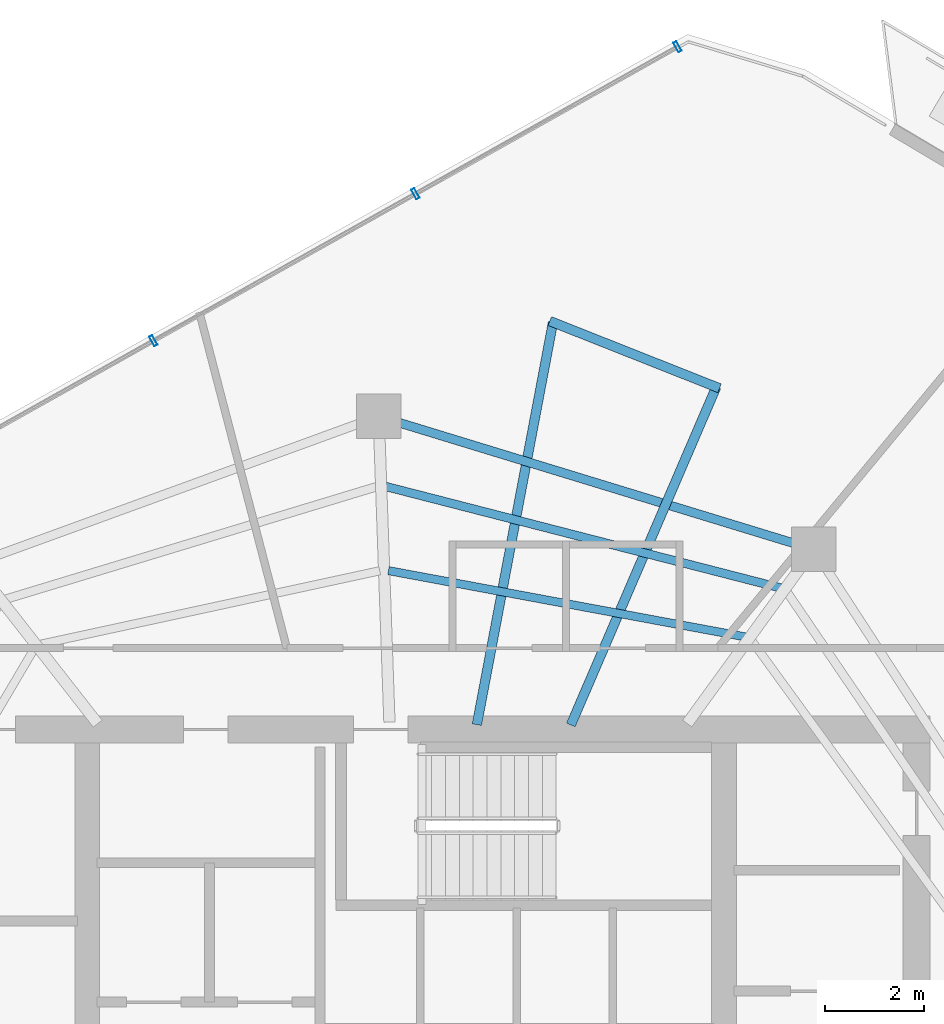
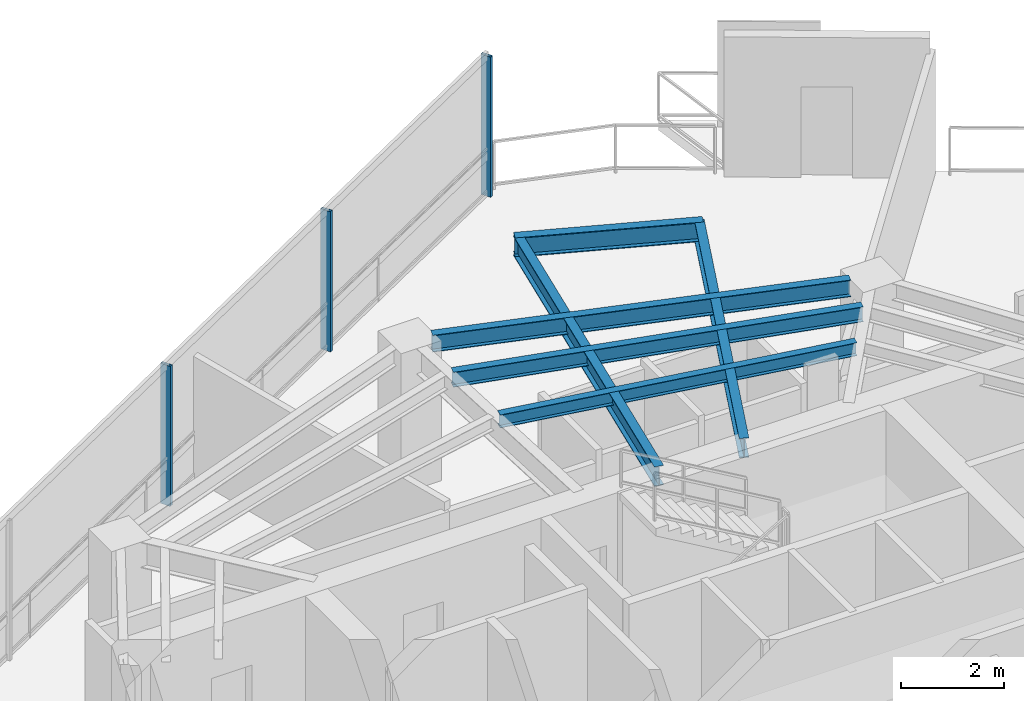
# One storey, part 11 of 18: 6 beams, 3 members, 1 element without a shape of its own.
"""IFC4 building model written with IfcOpenShell, lengths in metres."""

from ifc_helpers import new_model, si_unit, direction, frame, origin, origin_2d, place, context, subcontext, project, spatial, hollow_rectangle, i_section, extrude, material, layer, layer_set, material_profile, profile_set, type_object, element, aggregate, save


model = new_model("IFC4")

# Units and contexts
model_context = context("Model", 3, precision=1e-05, world=origin(), true_north=direction((0.0, 1.0)))
body_context = subcontext(model_context, "Body", "Model", "MODEL_VIEW")
ifc_project = project(units=[si_unit("LENGTHUNIT", "METRE"), si_unit("AREAUNIT", "SQUARE_METRE"), si_unit("VOLUMEUNIT", "CUBIC_METRE"), si_unit("PLANEANGLEUNIT", "RADIAN"), si_unit("MASSUNIT", "GRAM", prefix="KILO")], contexts=[model_context])

# Site, building, storey
site_placement = place(None, origin())
site = spatial("IfcSite", under=ifc_project, at=site_placement, CompositionType="ELEMENT")
building_placement = place(site_placement, origin())
building = spatial("IfcBuilding", under=site, at=building_placement, Name="Qarnah Convention Tower", CompositionType="ELEMENT")
storey_placement = place(building_placement, frame((0.0, 0.0, 177.0)))
storey = spatial("IfcBuildingStorey", under=building, at=storey_placement, Name="L47", CompositionType="ELEMENT", Elevation=177.0)

# Beams
ifc_material_1 = material(Name="Structural steel S355JR", Category="steel")
ifc_material_profile_1 = material_profile(ifc_material_1, i_section(OverallWidth=0.19189453125, OverallDepth=0.464111328125, WebThickness=0.010986328125, FlangeThickness=0.01806640625, at=origin_2d()), Name="W460X89")
ifc_profile_set_1 = profile_set([ifc_material_profile_1], Name="Structural steel S355JR")
beam_type_1 = type_object("IfcBeamType", Name="BM-CANT-W460A", PredefinedType="BEAM", material=ifc_profile_set_1)
beam_1_placement = place(storey_placement, frame((40.596923828125, 34.2919921875, 3.087890625), z_axis=(0.395334358974, 0.91853728537, 0.0), x_axis=(-0.91853728537, 0.395334358974, 0.0)))
element("IfcBeam", 1, at=beam_1_placement, inside=storey, type_object=beam_type_1, Name="L47 beam BM-L47-CNT-01-1", PredefinedType="BEAM", context=body_context, shape_type="SweptSolid", body=[
    extrude(i_section(OverallWidth=0.19189453125, OverallDepth=0.464111328125, WebThickness=0.010986328125, FlangeThickness=0.01806640625, at=origin_2d()), origin(), (0.0, 0.0, 1.0), 7.4521484375),
])
beam_2_placement = place(storey_placement, frame((38.694091796875, 34.298095703125, 3.087890625), z_axis=(0.185927001241, 0.982563560392, 0.0), x_axis=(-0.982563560392, 0.185927001241, 0.0)))
element("IfcBeam", 2, at=beam_2_placement, inside=storey, type_object=beam_type_1, Name="L47 beam BM-L47-CNT-01-2", PredefinedType="BEAM", context=body_context, shape_type="SweptSolid", body=[
    extrude(i_section(OverallWidth=0.19189453125, OverallDepth=0.464111328125, WebThickness=0.010986328125, FlangeThickness=0.01806640625, at=origin_2d()), origin(), (0.0, 0.0, 1.0), 8.29345703125),
])
beam_3_placement = place(storey_placement, frame((43.60791015625, 41.111083984375, 3.087890625), z_axis=(-0.929683207284, 0.368360060394, 0.0), x_axis=(-0.368360060394, -0.929683207284, 0.0)))
element("IfcBeam", 3, at=beam_3_placement, inside=storey, type_object=beam_type_1, Name="L47 spandrel BM-L47-CTIE-01", PredefinedType="SPANDREL", context=body_context, shape_type="SweptSolid", body=[
    extrude(i_section(OverallWidth=0.19189453125, OverallDepth=0.464111328125, WebThickness=0.010986328125, FlangeThickness=0.01806640625, at=origin_2d()), origin(), (0.0, 0.0, 1.0), 3.697021484375),
])
ifc_material_profile_2 = material_profile(ifc_material_1, i_section(OverallWidth=0.166015625, OverallDepth=0.31201171875, WebThickness=0.007080078125, FlangeThickness=0.010986328125, at=origin_2d()), Name="W310X45")
ifc_profile_set_2 = profile_set([ifc_material_profile_2], Name="Structural steel S355JR")
beam_type_2 = type_object("IfcBeamType", Name="BM-JST-W310", PredefinedType="JOIST", material=ifc_profile_set_2)
beam_4_placement = place(storey_placement, frame((44.1298828125, 36.075927734375, 3.1640625), z_axis=(-0.983190695227, 0.182581644257, 0.0), x_axis=(-0.182581644257, -0.983190695227, 0.0)))
element("IfcBeam", 4, at=beam_4_placement, inside=storey, type_object=beam_type_2, Name="L47 joist BM-L47-IJST-02", PredefinedType="JOIST", context=body_context, shape_type="SweptSolid", body=[
    extrude(i_section(OverallWidth=0.166015625, OverallDepth=0.31201171875, WebThickness=0.007080078125, FlangeThickness=0.010986328125, at=origin_2d()), origin(), (0.0, 0.0, 1.0), 7.350341796875),
])
ifc_material_profile_3 = material_profile(ifc_material_1, i_section(OverallWidth=0.172119140625, OverallDepth=0.35595703125, WebThickness=0.007080078125, FlangeThickness=0.011962890625, at=origin_2d()), Name="W360X51")
ifc_profile_set_3 = profile_set([ifc_material_profile_3], Name="Structural steel S355JR")
beam_type_3 = type_object("IfcBeamType", Name="BM-JST-W360", PredefinedType="JOIST", material=ifc_profile_set_3)
beam_5_placement = place(storey_placement, frame((44.846923828125, 37.06689453125, 3.14208984375), z_axis=(-0.968529970229, 0.248896960142, 0.0), x_axis=(-0.248896960142, -0.968529970229, 0.0)))
element("IfcBeam", 5, at=beam_5_placement, inside=storey, type_object=beam_type_3, Name="L47 joist BM-L47-SJST-02", PredefinedType="JOIST", context=body_context, shape_type="SweptSolid", body=[
    extrude(i_section(OverallWidth=0.172119140625, OverallDepth=0.35595703125, WebThickness=0.007080078125, FlangeThickness=0.011962890625, at=origin_2d()), origin(), (0.0, 0.0, 1.0), 8.264892578125),
])
ifc_material_profile_4 = material_profile(ifc_material_1, i_section(OverallWidth=0.179931640625, OverallDepth=0.39990234375, WebThickness=0.009033203125, FlangeThickness=0.013916015625, at=origin_2d()), Name="IPE400")
ifc_profile_set_4 = profile_set([ifc_material_profile_4], Name="Structural steel S355JR")
beam_type_4 = type_object("IfcBeamType", Name="BM-SPN-IPE400", PredefinedType="SPANDREL", material=ifc_profile_set_4)
beam_6_placement = place(storey_placement, frame((45.095947265625, 37.97705078125, 3.1201171875), z_axis=(-0.956348614223, 0.292228212318, 0.0), x_axis=(-0.292228212318, -0.956348614223, 0.0)))
element("IfcBeam", 6, at=beam_6_placement, inside=storey, type_object=beam_type_4, Name="L47 spandrel BM-L47-SPN-02", PredefinedType="SPANDREL", context=body_context, shape_type="SweptSolid", body=[
    extrude(i_section(OverallWidth=0.179931640625, OverallDepth=0.39990234375, WebThickness=0.009033203125, FlangeThickness=0.013916015625, at=origin_2d()), origin(), (0.0, 0.0, 1.0), 8.332763671875),
])

# Curtain wall, members
ifc_material_2 = material(Name="Tempered Low-E dark glass", Category="glass")
ifc_layer = layer(ifc_material_2, 0.174072265625)
ifc_layer_set = layer_set([ifc_layer], Name="Tempered Low-E dark glass")
curtain_wall_type = type_object("IfcCurtainWallType", Name="CWS-04", PredefinedType="NOTDEFINED", material=ifc_layer_set)
curtain_wall_placement = place(storey_placement, origin())
curtain_wall = element("IfcCurtainWall", 7, at=curtain_wall_placement, inside=storey, type_object=curtain_wall_type, Name="L47 unitised curtain wall CW-L47-F2", PredefinedType="NOTDEFINED")
ifc_material_3 = material(Name="Black anodised aluminium", Category="aluminium")
ifc_material_profile_5 = material_profile(ifc_material_3, hollow_rectangle(XDim=0.074951171875, YDim=0.219970703125, WallThickness=0.0048828125, at=origin_2d()), Name="MUL-75X220")
ifc_profile_set_5 = profile_set([ifc_material_profile_5], Name="Black anodised aluminium")
member_type = type_object("IfcMemberType", Name="MUL-T4", PredefinedType="MULLION", material=ifc_profile_set_5)
member_1_placement = place(storey_placement, frame((32.140380859375, 42.075439453125, 0.0), z_axis=(0.0, 0.0, 1.0), x_axis=(0.872234676791, 0.489087587865, 0.0)))
member_1 = element("IfcMember", 8, at=member_1_placement, type_object=member_type, Name="CW-L47-F2 mullion 4", PredefinedType="MULLION", context=body_context, shape_type="SweptSolid", body=[
    extrude(hollow_rectangle(XDim=0.074951171875, YDim=0.219970703125, WallThickness=0.0048828125, at=origin_2d()), origin(), (0.0, 0.0, 1.0), 3.320068359375),
])
member_2_placement = place(storey_placement, frame((37.44921875, 45.05224609375, 0.0), z_axis=(0.0, 0.0, 1.0), x_axis=(0.872234676791, 0.489087587865, 0.0)))
member_2 = element("IfcMember", 9, at=member_2_placement, type_object=member_type, Name="CW-L47-F2 mullion 5", PredefinedType="MULLION", context=body_context, shape_type="SweptSolid", body=[
    extrude(hollow_rectangle(XDim=0.074951171875, YDim=0.219970703125, WallThickness=0.0048828125, at=origin_2d()), origin(), (0.0, 0.0, 1.0), 3.320068359375),
])
member_3_placement = place(storey_placement, frame((42.758056640625, 48.029052734375, 0.0), z_axis=(0.0, 0.0, 1.0), x_axis=(0.872234676791, 0.489087587865, 0.0)))
member_3 = element("IfcMember", 10, at=member_3_placement, type_object=member_type, Name="CW-L47-F2 mullion 6", PredefinedType="MULLION", context=body_context, shape_type="SweptSolid", body=[
    extrude(hollow_rectangle(XDim=0.074951171875, YDim=0.219970703125, WallThickness=0.0048828125, at=origin_2d()), origin(), (0.0, 0.0, 1.0), 3.320068359375),
])
aggregate(curtain_wall, [member_1, member_2, member_3])

save(model, "model.ifc")
